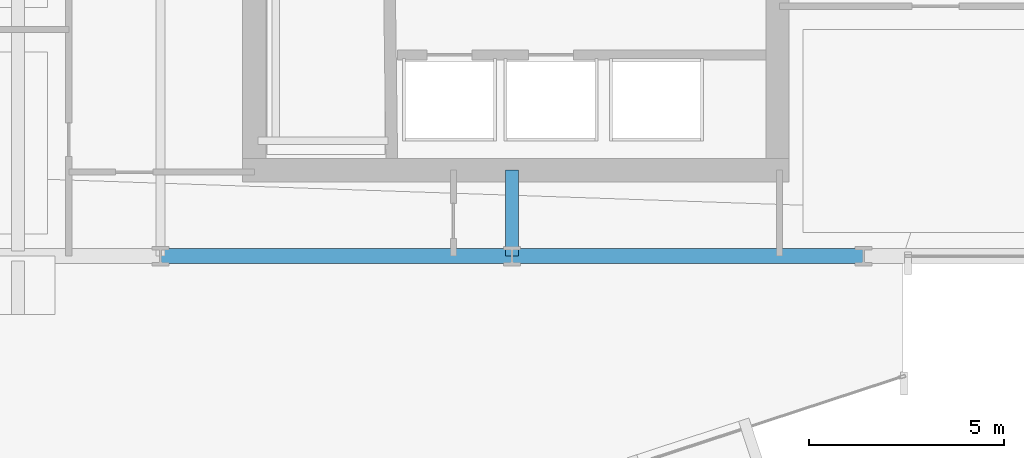
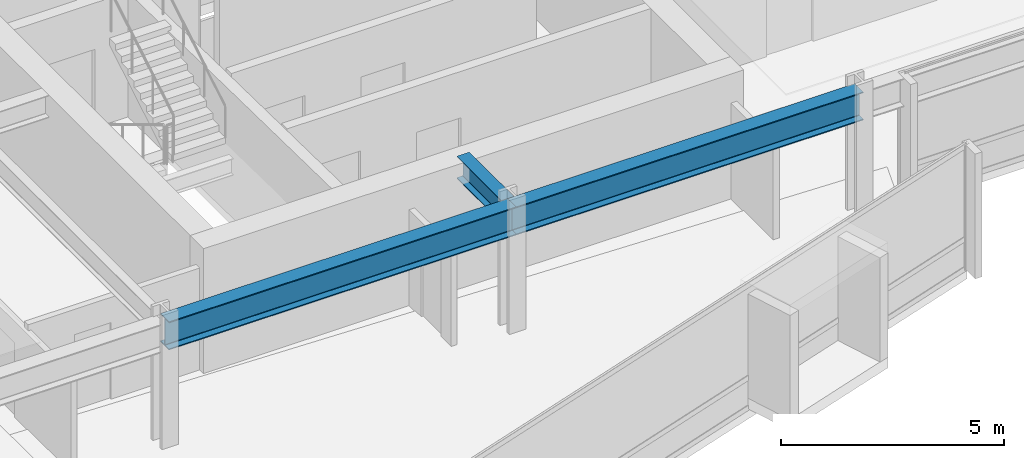
# One storey, part 11 of 34: 3 beams.
"""IFC4 building model written with IfcOpenShell, lengths in metres."""

from ifc_helpers import new_model, si_unit, direction, frame, origin, origin_2d, place, context, subcontext, project, spatial, i_section, extrude, material, material_profile, profile_set, type_object, element, save


model = new_model("IFC4")

# Units and contexts
model_context = context("Model", 3, precision=1e-05, world=origin(), true_north=direction((0.0, 1.0)))
body_context = subcontext(model_context, "Body", "Model", "MODEL_VIEW")
ifc_project = project(units=[si_unit("LENGTHUNIT", "METRE"), si_unit("AREAUNIT", "SQUARE_METRE"), si_unit("VOLUMEUNIT", "CUBIC_METRE"), si_unit("PLANEANGLEUNIT", "RADIAN"), si_unit("MASSUNIT", "GRAM", prefix="KILO")], contexts=[model_context])

# Site, building, storey
site_placement = place(None, origin())
site = spatial("IfcSite", under=ifc_project, at=site_placement, CompositionType="ELEMENT")
building_placement = place(site_placement, origin())
building = spatial("IfcBuilding", under=site, at=building_placement, Name="Solvaryn Broadcast Tower", CompositionType="ELEMENT")
storey_placement = place(building_placement, frame((0.0, 0.0, 43.39990234375)))
storey = spatial("IfcBuildingStorey", under=building, at=storey_placement, Name="L09", CompositionType="ELEMENT", Elevation=43.39990234375)

# Beams
ifc_material_1 = material(Name="Steel ASTM A992 Grade 50", Category="steel")
ifc_material_profile_1 = material_profile(ifc_material_1, i_section(OverallWidth=0.323974609375, OverallDepth=0.611083984375, WebThickness=0.0126953125, FlangeThickness=0.01904296875, FilletRadius=0.014892578125, at=origin_2d()))
ifc_profile_set_1 = profile_set([ifc_material_profile_1], Name="Steel ASTM A992 Grade 50")
beam_type_1 = type_object("IfcBeamType", Name="BM-B1-W24X104", PredefinedType="BEAM", material=ifc_profile_set_1)
beam_placement = place(storey_placement, frame((36.0, 9.0, 3.114501953125), z_axis=(0.0, 1.0, 0.0), x_axis=(-1.0, 0.0, 0.0)))
element("IfcBeam", 1, at=beam_placement, inside=storey, type_object=beam_type_1, Name="L09 Core Tie Beam CTE1", PredefinedType="BEAM", context=body_context, shape_type="SweptSolid", body=[
    extrude(i_section(OverallWidth=0.323974609375, OverallDepth=0.611083984375, WebThickness=0.0126953125, FlangeThickness=0.01904296875, FilletRadius=0.014892578125, at=origin_2d()), origin(), (0.0, 0.0, 1.0), 2.199951171875),
])
ifc_material_2 = material(Name="Steel ASTM A992 Grade 50", Category="steel")
ifc_material_profile_2 = material_profile(ifc_material_2, i_section(OverallWidth=0.381103515625, OverallDepth=0.77294921875, WebThickness=0.0166015625, FlangeThickness=0.027099609375, FilletRadius=0.01806640625, at=origin_2d()))
ifc_profile_set_2 = profile_set([ifc_material_profile_2], Name="Steel ASTM A992 Grade 50")
beam_type_2 = type_object("IfcBeamType", Name="BM-SP1-W30X173", PredefinedType="USERDEFINED", material=ifc_profile_set_2)
for number, where, z_axis, x_axis, name in (
    (2, (27.0, 9.0, 3.03369140625), (1.0, 0.0, 0.0), (0.0, 1.0, 0.0), "L09 Spandrel Beam X (27-36 @ Y=9)"),
    (3, (36.0, 9.0, 3.03369140625), (1.0, 0.0, 0.0), (0.0, 1.0, 0.0), "L09 Spandrel Beam X (36-45 @ Y=9)"),
):
    element("IfcBeam", number, at=place(storey_placement, frame(where, z_axis=z_axis, x_axis=x_axis)), inside=storey, type_object=beam_type_2, Name=name, ObjectType="SPANDREL", PredefinedType="USERDEFINED", context=body_context, shape_type="SweptSolid", body=[
        extrude(i_section(OverallWidth=0.381103515625, OverallDepth=0.77294921875, WebThickness=0.0166015625, FlangeThickness=0.027099609375, FilletRadius=0.01806640625, at=origin_2d()), origin(), (0.0, 0.0, 1.0), 9.0),
    ])

save(model, "model.ifc")
